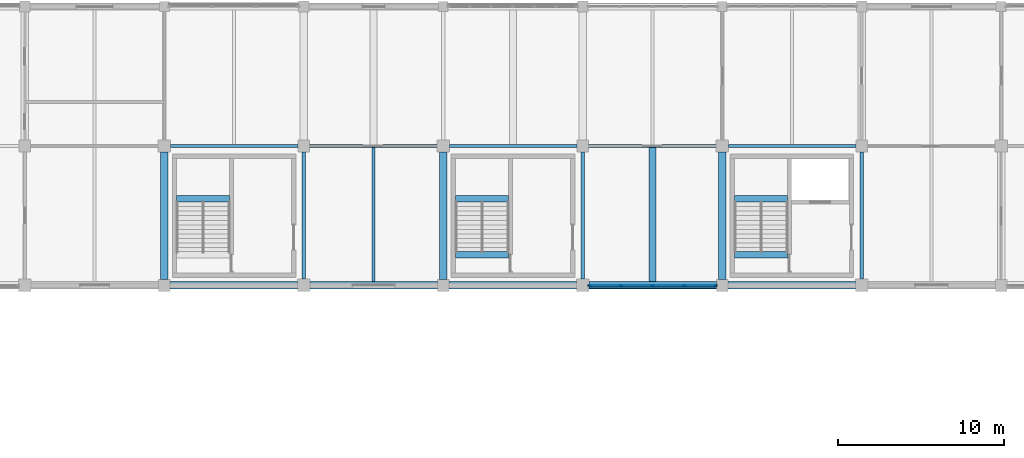
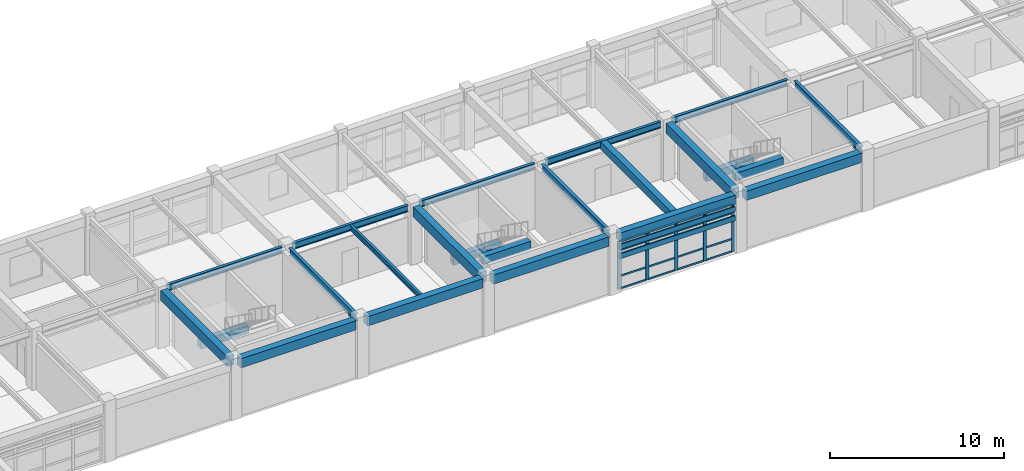
# One storey, part 15 of 40: 23 beams, 23 members, 1 element without a shape of its own.
"""IFC4 building model written with IfcOpenShell, lengths in metres."""

from ifc_helpers import new_model, si_unit, direction, frame, origin, origin_2d, place, context, subcontext, project, spatial, rectangle, i_section, extrude, material, layer, layer_set, material_profile, profile_set, type_object, element, aggregate, save


model = new_model("IFC4")

# Units and contexts
model_context = context("Model", 3, precision=1e-05, world=origin(), true_north=direction((0.0, 1.0)))
body_context = subcontext(model_context, "Body", "Model", "MODEL_VIEW")
ifc_project = project(units=[si_unit("LENGTHUNIT", "METRE"), si_unit("AREAUNIT", "SQUARE_METRE"), si_unit("VOLUMEUNIT", "CUBIC_METRE"), si_unit("PLANEANGLEUNIT", "RADIAN"), si_unit("MASSUNIT", "GRAM", prefix="KILO")], contexts=[model_context])

# Site, building, storey
site_placement = place(None, origin())
site = spatial("IfcSite", under=ifc_project, at=site_placement, CompositionType="ELEMENT")
building_placement = place(site_placement, origin())
building = spatial("IfcBuilding", under=site, at=building_placement, Name="Porcellanite Civic Hall", CompositionType="ELEMENT")
storey_placement = place(building_placement, frame((0.0, 0.0, 19.080078125)))
storey = spatial("IfcBuildingStorey", under=building, at=storey_placement, Name="L04", CompositionType="ELEMENT", Elevation=19.080078125)

# Beams
ifc_material_1 = material(Name="Concrete N50 (50 MPa)", Category="concrete")
ifc_material_profile_1 = material_profile(ifc_material_1, rectangle(XDim=0.39990234375, YDim=0.550048828125, at=origin_2d()), Name="RC-400x550")
ifc_profile_set_1 = profile_set([ifc_material_profile_1], Name="Concrete N50 (50 MPa)")
beam_type_1 = type_object("IfcBeamType", Name="BM-RC550", PredefinedType="JOIST", material=ifc_profile_set_1)
beam_1_placement = place(storey_placement, frame((105.0, 101.0244140625, 3.794921875), z_axis=(0.0, 1.0, 0.0), x_axis=(-1.0, 0.0, 0.0)))
element("IfcBeam", 1, at=beam_1_placement, inside=storey, type_object=beam_type_1, Name="Secondary joist L04 13-13", PredefinedType="JOIST", context=body_context, shape_type="SweptSolid", body=[
    extrude(rectangle(XDim=0.39990234375, YDim=0.550048828125, at=origin_2d()), origin(), (0.0, 0.0, 1.0), 8.0810546875),
])
for number, where, z_axis, x_axis, name in (
    (2, (109.9404296875, 106.02490234375, 1.704833984375), (1.0, 0.0, 0.0), (0.0, 1.0, 0.0), "Stair landing beam C4 L04"),
    (3, (109.9404296875, 102.64990234375, 3.794921875), (1.0, 0.0, 0.0), (0.0, 1.0, 0.0), "Stair header beam C4 L04"),
    (4, (76.340576171875, 106.02490234375, 1.704833984375), (1.0, 0.0, 0.0), (0.0, 1.0, 0.0), "Stair landing beam S9 L04"),
):
    element("IfcBeam", number, at=place(storey_placement, frame(where, z_axis=z_axis, x_axis=x_axis)), inside=storey, type_object=beam_type_1, Name=name, PredefinedType="JOIST", context=body_context, shape_type="SweptSolid", body=[
        extrude(rectangle(XDim=0.39990234375, YDim=0.550048828125, at=origin_2d()), origin(), (0.0, 0.0, 1.0), 3.178955078125),
    ])
for number, where, z_axis, x_axis, name in (
    (5, (93.140380859375, 106.02490234375, 1.704833984375), (1.0, 0.0, 0.0), (0.0, 1.0, 0.0), "Stair landing beam S10 L04"),
    (6, (93.140380859375, 102.64990234375, 3.794921875), (1.0, 0.0, 0.0), (0.0, 1.0, 0.0), "Stair header beam S10 L04"),
):
    element("IfcBeam", number, at=place(storey_placement, frame(where, z_axis=z_axis, x_axis=x_axis)), inside=storey, type_object=beam_type_1, Name=name, PredefinedType="JOIST", context=body_context, shape_type="SweptSolid", body=[
        extrude(rectangle(XDim=0.39990234375, YDim=0.550048828125, at=origin_2d()), origin(), (0.0, 0.0, 1.0), 3.17919921875),
    ])
ifc_material_2 = material(Name="Concrete N50 (50 MPa)", Category="concrete")
ifc_material_profile_2 = material_profile(ifc_material_2, rectangle(XDim=0.449951171875, YDim=0.64990234375, at=origin_2d()), Name="RC-450x650")
ifc_profile_set_2 = profile_set([ifc_material_profile_2], Name="Concrete N50 (50 MPa)")
beam_type_2 = type_object("IfcBeamType", Name="BM-RC650", PredefinedType="SPANDREL", material=ifc_profile_set_2)
for number, where, z_axis, x_axis, name in (
    (7, (75.949462890625, 100.800048828125, 3.744873046875), (1.0, 0.0, 0.0), (0.0, 1.0, 0.0), "Beam X L04 10-13"),
    (8, (84.37451171875, 100.800048828125, 3.744873046875), (1.0, 0.0, 0.0), (0.0, 1.0, 0.0), "Beam X L04 11-13"),
    (9, (92.74951171875, 100.800048828125, 3.744873046875), (1.0, 0.0, 0.0), (0.0, 1.0, 0.0), "Beam X L04 12-13"),
    (10, (101.174560546875, 100.800048828125, 3.744873046875), (1.0, 0.0, 0.0), (0.0, 1.0, 0.0), "Beam X L04 13-13"),
    (11, (109.549560546875, 100.800048828125, 3.744873046875), (1.0, 0.0, 0.0), (0.0, 1.0, 0.0), "Beam X L04 14-13"),
):
    element("IfcBeam", number, at=place(storey_placement, frame(where, z_axis=z_axis, x_axis=x_axis)), inside=storey, type_object=beam_type_2, Name=name, PredefinedType="SPANDREL", context=body_context, shape_type="SweptSolid", body=[
        extrude(rectangle(XDim=0.449951171875, YDim=0.64990234375, at=origin_2d()), origin(), (0.0, 0.0, 1.0), 7.676025390625),
    ])
ifc_material_3 = material(Name="Concrete N50 (50 MPa)", Category="concrete")
ifc_material_profile_3 = material_profile(ifc_material_3, rectangle(XDim=0.449951171875, YDim=0.699951171875, at=origin_2d()), Name="RC-450x700")
ifc_profile_set_3 = profile_set([ifc_material_profile_3], Name="Concrete N50 (50 MPa)")
beam_type_3 = type_object("IfcBeamType", Name="BM-RC700", PredefinedType="BEAM", material=ifc_profile_set_3)
for number, where, z_axis, x_axis, name in (
    (12, (75.60009765625, 101.1494140625, 3.719970703125), (0.0, 1.0, 0.0), (-1.0, 0.0, 0.0), "Beam Y L04 10-13"),
    (13, (92.39990234375, 101.1494140625, 3.719970703125), (0.0, 1.0, 0.0), (-1.0, 0.0, 0.0), "Beam Y L04 12-13"),
    (14, (109.199951171875, 101.1494140625, 3.719970703125), (0.0, 1.0, 0.0), (-1.0, 0.0, 0.0), "Beam Y L04 14-13"),
):
    element("IfcBeam", number, at=place(storey_placement, frame(where, z_axis=z_axis, x_axis=x_axis)), inside=storey, type_object=beam_type_3, Name=name, PredefinedType="BEAM", context=body_context, shape_type="SweptSolid", body=[
        extrude(rectangle(XDim=0.449951171875, YDim=0.699951171875, at=origin_2d()), origin(), (0.0, 0.0, 1.0), 7.676025390625),
    ])

# Curtain wall, members
ifc_material_4 = material(Name="Anodised aluminium and solar laminated glass", Category="aluminium")
ifc_layer = layer(ifc_material_4, 0.179931640625)
ifc_layer_set = layer_set([ifc_layer], Name="Anodised aluminium and solar laminated glass")
curtain_wall_type = type_object("IfcCurtainWallType", Name="CW-SYS03", PredefinedType="NOTDEFINED", material=ifc_layer_set)
curtain_wall_placement = place(storey_placement, origin())
curtain_wall = element("IfcCurtainWall", 15, at=curtain_wall_placement, inside=storey, type_object=curtain_wall_type, Name="Curtain wall CW-252", PredefinedType="NOTDEFINED")
ifc_material_5 = material(Name="Anodised aluminium 6063-T6", Category="aluminium")
ifc_material_profile_4 = material_profile(ifc_material_5, rectangle(XDim=0.080078125, YDim=0.2099609375, at=origin_2d()), Name="AL-80x210")
ifc_profile_set_4 = profile_set([ifc_material_profile_4], Name="Anodised aluminium 6063-T6")
member_type_1 = type_object("IfcMemberType", Name="CWM-02", PredefinedType="MULLION", material=ifc_profile_set_4)
member_1_placement = place(storey_placement, frame((108.80908203125, 100.800048828125, 0.0), z_axis=(0.0, 0.0, 1.0), x_axis=(0.0, -1.0, 0.0)))
member_1 = element("IfcMember", 16, at=member_1_placement, type_object=member_type_1, Name="CW-252 mullion 1", PredefinedType="MULLION", context=body_context, shape_type="SweptSolid", body=[
    extrude(rectangle(XDim=0.080078125, YDim=0.2099609375, at=origin_2d()), origin(), (0.0, 0.0, 1.0), 3.369873046875),
])
member_2_placement = place(storey_placement, frame((106.9306640625, 100.800048828125, 0.0), z_axis=(0.0, 0.0, 1.0), x_axis=(0.0, -1.0, 0.0)))
member_2 = element("IfcMember", 17, at=member_2_placement, type_object=member_type_1, Name="CW-252 mullion 2", PredefinedType="MULLION", context=body_context, shape_type="SweptSolid", body=[
    extrude(rectangle(XDim=0.080078125, YDim=0.2099609375, at=origin_2d()), origin(), (0.0, 0.0, 1.0), 3.369873046875),
])
member_3_placement = place(storey_placement, frame((105.012451171875, 100.800048828125, 0.0), z_axis=(0.0, 0.0, 1.0), x_axis=(0.0, -1.0, 0.0)))
member_3 = element("IfcMember", 18, at=member_3_placement, type_object=member_type_1, Name="CW-252 mullion 3", PredefinedType="MULLION", context=body_context, shape_type="SweptSolid", body=[
    extrude(rectangle(XDim=0.080078125, YDim=0.2099609375, at=origin_2d()), origin(), (0.0, 0.0, 1.0), 3.369873046875),
])
member_4_placement = place(storey_placement, frame((103.09423828125, 100.800048828125, 0.0), z_axis=(0.0, 0.0, 1.0), x_axis=(0.0, -1.0, 0.0)))
member_4 = element("IfcMember", 19, at=member_4_placement, type_object=member_type_1, Name="CW-252 mullion 4", PredefinedType="MULLION", context=body_context, shape_type="SweptSolid", body=[
    extrude(rectangle(XDim=0.080078125, YDim=0.2099609375, at=origin_2d()), origin(), (0.0, 0.0, 1.0), 3.369873046875),
])
member_5_placement = place(storey_placement, frame((101.216064453125, 100.800048828125, 0.0), z_axis=(0.0, 0.0, 1.0), x_axis=(0.0, -1.0, 0.0)))
member_5 = element("IfcMember", 20, at=member_5_placement, type_object=member_type_1, Name="CW-252 mullion 5", PredefinedType="MULLION", context=body_context, shape_type="SweptSolid", body=[
    extrude(rectangle(XDim=0.080078125, YDim=0.2099609375, at=origin_2d()), origin(), (0.0, 0.0, 1.0), 3.369873046875),
])
ifc_material_6 = material(Name="Anodised aluminium 6063-T6", Category="aluminium")
ifc_material_profile_5 = material_profile(ifc_material_6, rectangle(XDim=0.054931640625, YDim=0.1201171875, at=origin_2d()), Name="AL-55x120")
ifc_profile_set_5 = profile_set([ifc_material_profile_5], Name="Anodised aluminium 6063-T6")
member_type_2 = type_object("IfcMemberType", Name="CWT-04", PredefinedType="USERDEFINED", material=ifc_profile_set_5)
member_6_placement = place(storey_placement, frame((108.76904296875, 100.800048828125, 0.02734375), z_axis=(-1.0, 0.0, 0.0), x_axis=(0.0, -1.0, 0.0)))
member_6 = element("IfcMember", 21, at=member_6_placement, type_object=member_type_2, Name="CW-252 transom 1.1", ObjectType="TRANSOM", PredefinedType="USERDEFINED", context=body_context, shape_type="SweptSolid", body=[
    extrude(rectangle(XDim=0.054931640625, YDim=0.1201171875, at=origin_2d()), origin(), (0.0, 0.0, 1.0), 1.79833984375),
])
member_7_placement = place(storey_placement, frame((108.76904296875, 100.800048828125, 0.89990234375), z_axis=(-1.0, 0.0, 0.0), x_axis=(0.0, -1.0, 0.0)))
member_7 = element("IfcMember", 22, at=member_7_placement, type_object=member_type_2, Name="CW-252 transom 1.2", ObjectType="TRANSOM", PredefinedType="USERDEFINED", context=body_context, shape_type="SweptSolid", body=[
    extrude(rectangle(XDim=0.054931640625, YDim=0.1201171875, at=origin_2d()), origin(), (0.0, 0.0, 1.0), 1.79833984375),
])
member_8_placement = place(storey_placement, frame((108.76904296875, 100.800048828125, 2.719970703125), z_axis=(-1.0, 0.0, 0.0), x_axis=(0.0, -1.0, 0.0)))
member_8 = element("IfcMember", 23, at=member_8_placement, type_object=member_type_2, Name="CW-252 transom 1.3", ObjectType="TRANSOM", PredefinedType="USERDEFINED", context=body_context, shape_type="SweptSolid", body=[
    extrude(rectangle(XDim=0.054931640625, YDim=0.1201171875, at=origin_2d()), origin(), (0.0, 0.0, 1.0), 1.79833984375),
])
member_9_placement = place(storey_placement, frame((108.76904296875, 100.800048828125, 3.342529296875), z_axis=(-1.0, 0.0, 0.0), x_axis=(0.0, -1.0, 0.0)))
member_9 = element("IfcMember", 24, at=member_9_placement, type_object=member_type_2, Name="CW-252 transom 1.4", ObjectType="TRANSOM", PredefinedType="USERDEFINED", context=body_context, shape_type="SweptSolid", body=[
    extrude(rectangle(XDim=0.054931640625, YDim=0.1201171875, at=origin_2d()), origin(), (0.0, 0.0, 1.0), 1.79833984375),
])
member_10_placement = place(storey_placement, frame((106.890869140625, 100.800048828125, 0.02734375), z_axis=(-1.0, 0.0, 0.0), x_axis=(0.0, -1.0, 0.0)))
member_10 = element("IfcMember", 25, at=member_10_placement, type_object=member_type_2, Name="CW-252 transom 2.1", ObjectType="TRANSOM", PredefinedType="USERDEFINED", context=body_context, shape_type="SweptSolid", body=[
    extrude(rectangle(XDim=0.054931640625, YDim=0.1201171875, at=origin_2d()), origin(), (0.0, 0.0, 1.0), 1.83837890625),
])
member_11_placement = place(storey_placement, frame((106.890869140625, 100.800048828125, 0.89990234375), z_axis=(-1.0, 0.0, 0.0), x_axis=(0.0, -1.0, 0.0)))
member_11 = element("IfcMember", 26, at=member_11_placement, type_object=member_type_2, Name="CW-252 transom 2.2", ObjectType="TRANSOM", PredefinedType="USERDEFINED", context=body_context, shape_type="SweptSolid", body=[
    extrude(rectangle(XDim=0.054931640625, YDim=0.1201171875, at=origin_2d()), origin(), (0.0, 0.0, 1.0), 1.83837890625),
])
member_12_placement = place(storey_placement, frame((106.890869140625, 100.800048828125, 2.719970703125), z_axis=(-1.0, 0.0, 0.0), x_axis=(0.0, -1.0, 0.0)))
member_12 = element("IfcMember", 27, at=member_12_placement, type_object=member_type_2, Name="CW-252 transom 2.3", ObjectType="TRANSOM", PredefinedType="USERDEFINED", context=body_context, shape_type="SweptSolid", body=[
    extrude(rectangle(XDim=0.054931640625, YDim=0.1201171875, at=origin_2d()), origin(), (0.0, 0.0, 1.0), 1.83837890625),
])
member_13_placement = place(storey_placement, frame((106.890869140625, 100.800048828125, 3.342529296875), z_axis=(-1.0, 0.0, 0.0), x_axis=(0.0, -1.0, 0.0)))
member_13 = element("IfcMember", 28, at=member_13_placement, type_object=member_type_2, Name="CW-252 transom 2.4", ObjectType="TRANSOM", PredefinedType="USERDEFINED", context=body_context, shape_type="SweptSolid", body=[
    extrude(rectangle(XDim=0.054931640625, YDim=0.1201171875, at=origin_2d()), origin(), (0.0, 0.0, 1.0), 1.83837890625),
])
member_14_placement = place(storey_placement, frame((104.972412109375, 100.800048828125, 0.02734375), z_axis=(-1.0, 0.0, 0.0), x_axis=(0.0, -1.0, 0.0)))
member_14 = element("IfcMember", 29, at=member_14_placement, type_object=member_type_2, Name="CW-252 transom 3.1", ObjectType="TRANSOM", PredefinedType="USERDEFINED", context=body_context, shape_type="SweptSolid", body=[
    extrude(rectangle(XDim=0.054931640625, YDim=0.1201171875, at=origin_2d()), origin(), (0.0, 0.0, 1.0), 1.838134765625),
])
member_15_placement = place(storey_placement, frame((104.972412109375, 100.800048828125, 0.89990234375), z_axis=(-1.0, 0.0, 0.0), x_axis=(0.0, -1.0, 0.0)))
member_15 = element("IfcMember", 30, at=member_15_placement, type_object=member_type_2, Name="CW-252 transom 3.2", ObjectType="TRANSOM", PredefinedType="USERDEFINED", context=body_context, shape_type="SweptSolid", body=[
    extrude(rectangle(XDim=0.054931640625, YDim=0.1201171875, at=origin_2d()), origin(), (0.0, 0.0, 1.0), 1.838134765625),
])
member_16_placement = place(storey_placement, frame((104.972412109375, 100.800048828125, 2.719970703125), z_axis=(-1.0, 0.0, 0.0), x_axis=(0.0, -1.0, 0.0)))
member_16 = element("IfcMember", 31, at=member_16_placement, type_object=member_type_2, Name="CW-252 transom 3.3", ObjectType="TRANSOM", PredefinedType="USERDEFINED", context=body_context, shape_type="SweptSolid", body=[
    extrude(rectangle(XDim=0.054931640625, YDim=0.1201171875, at=origin_2d()), origin(), (0.0, 0.0, 1.0), 1.838134765625),
])
member_17_placement = place(storey_placement, frame((104.972412109375, 100.800048828125, 3.342529296875), z_axis=(-1.0, 0.0, 0.0), x_axis=(0.0, -1.0, 0.0)))
member_17 = element("IfcMember", 32, at=member_17_placement, type_object=member_type_2, Name="CW-252 transom 3.4", ObjectType="TRANSOM", PredefinedType="USERDEFINED", context=body_context, shape_type="SweptSolid", body=[
    extrude(rectangle(XDim=0.054931640625, YDim=0.1201171875, at=origin_2d()), origin(), (0.0, 0.0, 1.0), 1.838134765625),
])
member_18_placement = place(storey_placement, frame((103.05419921875, 100.800048828125, 0.02734375), z_axis=(-1.0, 0.0, 0.0), x_axis=(0.0, -1.0, 0.0)))
member_18 = element("IfcMember", 33, at=member_18_placement, type_object=member_type_2, Name="CW-252 transom 4.1", ObjectType="TRANSOM", PredefinedType="USERDEFINED", context=body_context, shape_type="SweptSolid", body=[
    extrude(rectangle(XDim=0.054931640625, YDim=0.1201171875, at=origin_2d()), origin(), (0.0, 0.0, 1.0), 1.798095703125),
])
member_19_placement = place(storey_placement, frame((103.05419921875, 100.800048828125, 0.89990234375), z_axis=(-1.0, 0.0, 0.0), x_axis=(0.0, -1.0, 0.0)))
member_19 = element("IfcMember", 34, at=member_19_placement, type_object=member_type_2, Name="CW-252 transom 4.2", ObjectType="TRANSOM", PredefinedType="USERDEFINED", context=body_context, shape_type="SweptSolid", body=[
    extrude(rectangle(XDim=0.054931640625, YDim=0.1201171875, at=origin_2d()), origin(), (0.0, 0.0, 1.0), 1.798095703125),
])
member_20_placement = place(storey_placement, frame((103.05419921875, 100.800048828125, 2.719970703125), z_axis=(-1.0, 0.0, 0.0), x_axis=(0.0, -1.0, 0.0)))
member_20 = element("IfcMember", 35, at=member_20_placement, type_object=member_type_2, Name="CW-252 transom 4.3", ObjectType="TRANSOM", PredefinedType="USERDEFINED", context=body_context, shape_type="SweptSolid", body=[
    extrude(rectangle(XDim=0.054931640625, YDim=0.1201171875, at=origin_2d()), origin(), (0.0, 0.0, 1.0), 1.798095703125),
])
member_21_placement = place(storey_placement, frame((103.05419921875, 100.800048828125, 3.342529296875), z_axis=(-1.0, 0.0, 0.0), x_axis=(0.0, -1.0, 0.0)))
member_21 = element("IfcMember", 36, at=member_21_placement, type_object=member_type_2, Name="CW-252 transom 4.4", ObjectType="TRANSOM", PredefinedType="USERDEFINED", context=body_context, shape_type="SweptSolid", body=[
    extrude(rectangle(XDim=0.054931640625, YDim=0.1201171875, at=origin_2d()), origin(), (0.0, 0.0, 1.0), 1.798095703125),
])
aggregate(curtain_wall, [member_1, member_2, member_3, member_4, member_5, member_6, member_7, member_8, member_9, member_10, member_11, member_12, member_13, member_14, member_15, member_16, member_17, member_18, member_19, member_20, member_21])

# Beam
ifc_material_7 = material(Name="Steel Grade 350", Category="steel")
ifc_material_profile_6 = material_profile(ifc_material_7, i_section(OverallWidth=0.1708984375, OverallDepth=0.35595703125, WebThickness=0.00732421875, FlangeThickness=0.011474609375, FilletRadius=0.011474609375, at=origin_2d()), Name="360UB50.7")
ifc_profile_set_6 = profile_set([ifc_material_profile_6], Name="Steel Grade 350")
beam_type_4 = type_object("IfcBeamType", Name="JST-360UB51", PredefinedType="JOIST", material=ifc_profile_set_6)
beam_2_placement = place(storey_placement, frame((88.199951171875, 101.0244140625, 3.891845703125), z_axis=(0.0, 1.0, 0.0), x_axis=(-1.0, 0.0, 0.0)))
element("IfcBeam", 37, at=beam_2_placement, inside=storey, type_object=beam_type_4, Name="Secondary joist L04 11-13", PredefinedType="JOIST", context=body_context, shape_type="SweptSolid", body=[
    extrude(i_section(OverallWidth=0.1708984375, OverallDepth=0.35595703125, WebThickness=0.00732421875, FlangeThickness=0.011474609375, FilletRadius=0.011474609375, at=origin_2d()), origin(), (0.0, 0.0, 1.0), 8.0810546875),
])

# Members
ifc_material_8 = material(Name="Fluoropolymer bauxite-red aluminium 6063-T6", Category="aluminium")
ifc_material_profile_7 = material_profile(ifc_material_8, rectangle(XDim=0.090087890625, YDim=0.360107421875, at=origin_2d()), Name="AL-90x360")
ifc_profile_set_7 = profile_set([ifc_material_profile_7], Name="Fluoropolymer bauxite-red aluminium 6063-T6")
member_type_3 = type_object("IfcMemberType", Name="LV-BLD01", PredefinedType="USERDEFINED", material=ifc_profile_set_7)
for number, where, z_axis, x_axis, name in (
    (38, (108.8505859375, 100.64794921875, 3.06982421875), (-1.0, 0.0, 0.0), (0.0, -1.0, 0.0), "Cyclone sunshade louvre L04 S 12-12 1"),
    (39, (108.8505859375, 100.64794921875, 2.419921875), (-1.0, 0.0, 0.0), (0.0, -1.0, 0.0), "Cyclone sunshade louvre L04 S 12-12 2"),
):
    element("IfcMember", number, at=place(storey_placement, frame(where, z_axis=z_axis, x_axis=x_axis)), inside=storey, type_object=member_type_3, Name=name, ObjectType="LOUVRE BLADE", PredefinedType="USERDEFINED", context=body_context, shape_type="SweptSolid", body=[
        extrude(rectangle(XDim=0.090087890625, YDim=0.360107421875, at=origin_2d()), origin(), (0.0, 0.0, 1.0), 7.676025390625),
    ])

# Beams
ifc_material_9 = material(Name="Steel Grade 350", Category="steel")
ifc_material_profile_8 = material_profile(ifc_material_9, i_section(OverallWidth=0.18994140625, OverallDepth=0.4541015625, WebThickness=0.008544921875, FlangeThickness=0.0126953125, FilletRadius=0.011474609375, at=origin_2d()), Name="460UB67.1")
ifc_profile_set_8 = profile_set([ifc_material_profile_8], Name="Steel Grade 350")
beam_type_5 = type_object("IfcBeamType", Name="RAF-460UB67", PredefinedType="BEAM", material=ifc_profile_set_8)
for number, where, z_axis, x_axis, name in (
    (40, (75.974609375, 109.199951171875, 3.843017578125), (1.0, 0.0, 0.0), (0.0, 1.0, 0.0), "Beam X L04 10-14"),
    (41, (84.349609375, 109.199951171875, 3.843017578125), (1.0, 0.0, 0.0), (0.0, 1.0, 0.0), "Beam X L04 11-14"),
):
    element("IfcBeam", number, at=place(storey_placement, frame(where, z_axis=z_axis, x_axis=x_axis)), inside=storey, type_object=beam_type_5, Name=name, PredefinedType="BEAM", context=body_context, shape_type="SweptSolid", body=[
        extrude(i_section(OverallWidth=0.18994140625, OverallDepth=0.4541015625, WebThickness=0.008544921875, FlangeThickness=0.0126953125, FilletRadius=0.011474609375, at=origin_2d()), origin(), (0.0, 0.0, 1.0), 7.67578125),
    ])
for number, where, z_axis, x_axis, name in (
    (42, (92.7744140625, 109.199951171875, 3.843017578125), (1.0, 0.0, 0.0), (0.0, 1.0, 0.0), "Beam X L04 12-14"),
    (43, (101.1494140625, 109.199951171875, 3.843017578125), (1.0, 0.0, 0.0), (0.0, 1.0, 0.0), "Beam X L04 13-14"),
    (44, (109.574462890625, 109.199951171875, 3.843017578125), (1.0, 0.0, 0.0), (0.0, 1.0, 0.0), "Beam X L04 14-14"),
):
    element("IfcBeam", number, at=place(storey_placement, frame(where, z_axis=z_axis, x_axis=x_axis)), inside=storey, type_object=beam_type_5, Name=name, PredefinedType="BEAM", context=body_context, shape_type="SweptSolid", body=[
        extrude(i_section(OverallWidth=0.18994140625, OverallDepth=0.4541015625, WebThickness=0.008544921875, FlangeThickness=0.0126953125, FilletRadius=0.011474609375, at=origin_2d()), origin(), (0.0, 0.0, 1.0), 7.676025390625),
    ])
ifc_material_10 = material(Name="Steel Grade 350", Category="steel")
ifc_material_profile_9 = material_profile(ifc_material_10, i_section(OverallWidth=0.208984375, OverallDepth=0.528076171875, WebThickness=0.009521484375, FlangeThickness=0.01318359375, FilletRadius=0.013916015625, at=origin_2d()), Name="530UB82.0")
ifc_profile_set_9 = profile_set([ifc_material_profile_9], Name="Steel Grade 350")
beam_type_6 = type_object("IfcBeamType", Name="RAF-530UB82", PredefinedType="BEAM", material=ifc_profile_set_9)
for number, where, z_axis, x_axis, name in (
    (45, (84.0, 101.174560546875, 3.805908203125), (0.0, 1.0, 0.0), (-1.0, 0.0, 0.0), "Beam Y L04 11-13"),
    (46, (100.800048828125, 101.174560546875, 3.805908203125), (0.0, 1.0, 0.0), (-1.0, 0.0, 0.0), "Beam Y L04 13-13"),
    (47, (117.60009765625, 101.174560546875, 3.805908203125), (0.0, 1.0, 0.0), (-1.0, 0.0, 0.0), "Beam Y L04 15-13"),
):
    element("IfcBeam", number, at=place(storey_placement, frame(where, z_axis=z_axis, x_axis=x_axis)), inside=storey, type_object=beam_type_6, Name=name, PredefinedType="BEAM", context=body_context, shape_type="SweptSolid", body=[
        extrude(i_section(OverallWidth=0.208984375, OverallDepth=0.528076171875, WebThickness=0.009521484375, FlangeThickness=0.01318359375, FilletRadius=0.013916015625, at=origin_2d()), origin(), (0.0, 0.0, 1.0), 7.676025390625),
    ])

save(model, "model.ifc")
